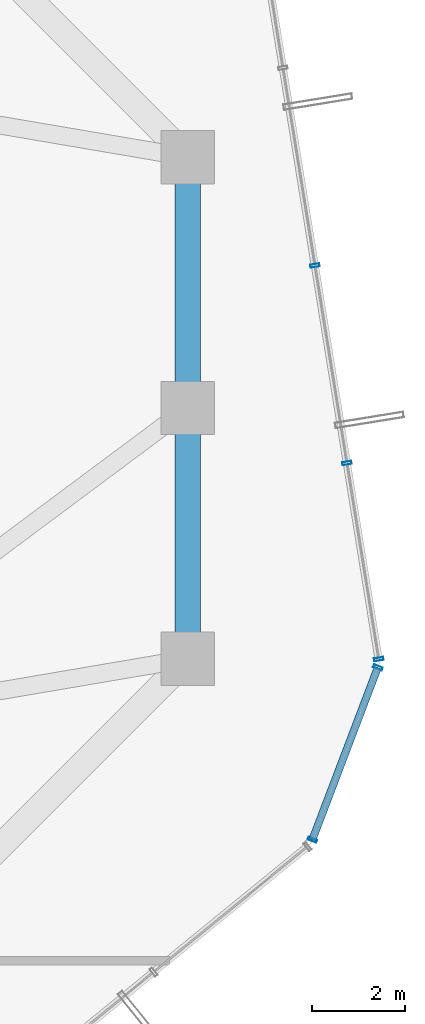
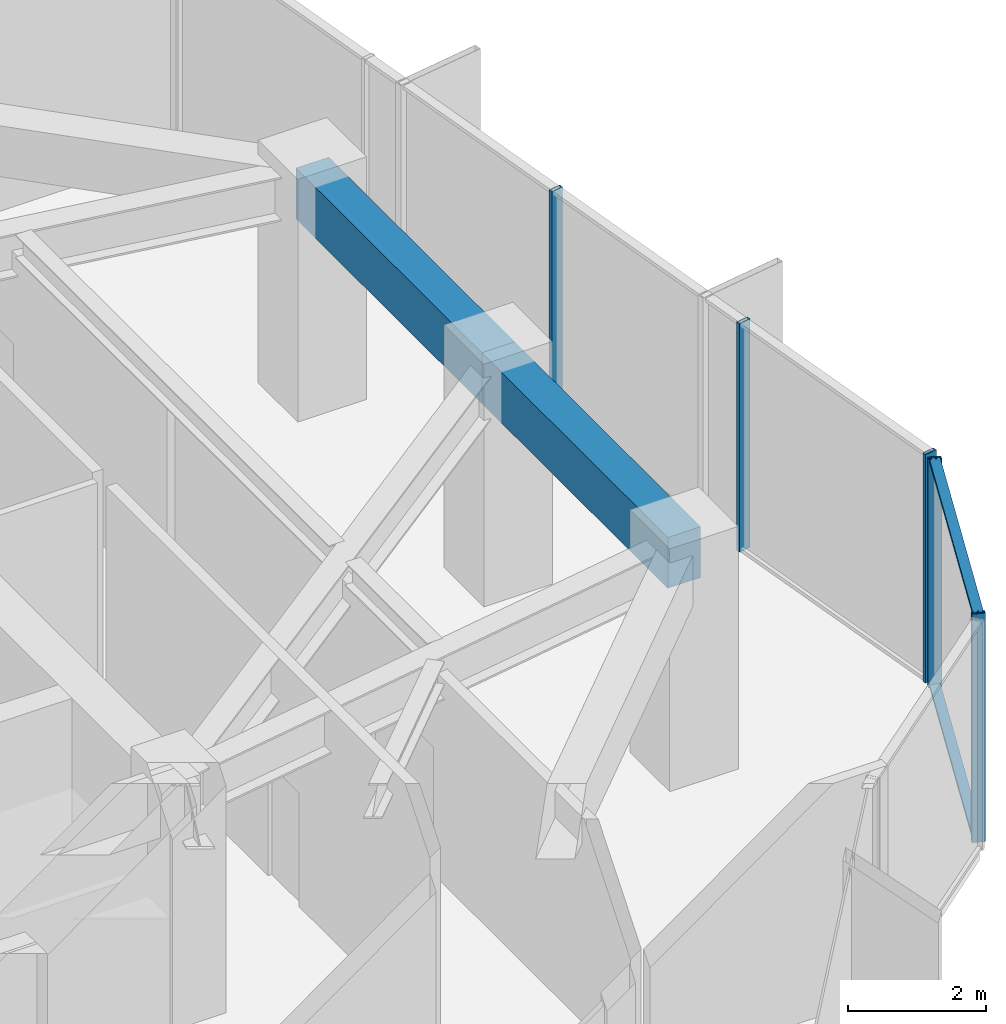
# One storey, part 13 of 26: 7 members, 2 beams, 2 elements without a shape of their own.
"""IFC4 building model written with IfcOpenShell, lengths in metres."""

from ifc_helpers import new_model, si_unit, direction, frame, origin, origin_2d, place, context, subcontext, project, spatial, rectangle, hollow_rectangle, extrude, source, transform, mapped, material, layer, layer_set, material_profile, profile_set, type_object, element, aggregate, save


model = new_model("IFC4")

# Units and contexts
model_context = context("Model", 3, precision=1e-05, world=origin(), true_north=direction((0.0, 1.0)))
body_context = subcontext(model_context, "Body", "Model", "MODEL_VIEW")
ifc_project = project(units=[si_unit("LENGTHUNIT", "METRE"), si_unit("AREAUNIT", "SQUARE_METRE"), si_unit("VOLUMEUNIT", "CUBIC_METRE"), si_unit("PLANEANGLEUNIT", "RADIAN"), si_unit("MASSUNIT", "GRAM", prefix="KILO")], contexts=[model_context])

# Site, building, storey
site_placement = place(None, origin())
site = spatial("IfcSite", under=ifc_project, at=site_placement, CompositionType="ELEMENT")
building_placement = place(site_placement, origin())
building = spatial("IfcBuilding", under=site, at=building_placement, Name="Veraguas Prism Commons", CompositionType="ELEMENT")
storey_placement = place(building_placement, frame((0.0, 0.0, 158.75)))
storey = spatial("IfcBuildingStorey", under=building, at=storey_placement, Name="L45", CompositionType="ELEMENT", Elevation=158.75)

# Beams
ifc_material_1 = material(Name="Concrete C50/60", Category="concrete")
ifc_material_profile_1 = material_profile(ifc_material_1, rectangle(XDim=0.550048828125, YDim=0.89990234375, at=origin_2d()), Name="RC550X900")
ifc_profile_set_1 = profile_set([ifc_material_profile_1], Name="Concrete C50/60")
beam_type = type_object("IfcBeamType", Name="Perimeter Spandrel Lower RC 550x900", PredefinedType="SPANDREL", material=ifc_profile_set_1)
for number, where, z_axis, x_axis, name in (
    (1, (40.199951171875, 18.60009765625, 3.60009765625), (0.0, 1.0, 0.0), (-1.0, 0.0, 0.0), "Perimeter Spandrel Beam L45-SP01"),
    (2, (40.199951171875, 24.0, 3.60009765625), (0.0, 1.0, 0.0), (-1.0, 0.0, 0.0), "Perimeter Spandrel Beam L45-SP02"),
):
    element("IfcBeam", number, at=place(storey_placement, frame(where, z_axis=z_axis, x_axis=x_axis)), inside=storey, type_object=beam_type, Name=name, PredefinedType="SPANDREL", context=body_context, shape_type="SweptSolid", body=[
        extrude(rectangle(XDim=0.550048828125, YDim=0.89990234375, at=origin_2d()), origin(), (0.0, 0.0, 1.0), 5.39990234375),
    ])

# Curtain wall, members
ifc_material_2 = material(Name="Anodised aluminium EN AW-6063 T6", Category="aluminium")
ifc_layer = layer(ifc_material_2, 0.199951171875, Name="Sky Lobby and Pool Acoustic Curtain Wall", Category="aluminium")
ifc_layer_set = layer_set([ifc_layer], Name="Anodised aluminium EN AW-6063 T6")
curtain_wall_type = type_object("IfcCurtainWallType", Name="Sky Lobby and Pool Acoustic Curtain Wall", PredefinedType="NOTDEFINED", material=ifc_layer_set)
curtain_wall_1_placement = place(storey_placement, origin())
curtain_wall_1 = element("IfcCurtainWall", 3, at=curtain_wall_1_placement, inside=storey, type_object=curtain_wall_type, Name="Tower Facade Curtain Wall L45-F6", PredefinedType="NOTDEFINED")
ifc_material_profile_2 = material_profile(ifc_material_2, hollow_rectangle(XDim=0.06494140625, YDim=0.199951171875, WallThickness=0.00390625, at=origin_2d()), Name="AL65X200X4")
ifc_profile_set_2 = profile_set([ifc_material_profile_2], Name="Anodised aluminium EN AW-6063 T6")
member_type_1 = type_object("IfcMemberType", Name="Curtain Wall Mullion Heavy AL 65x200x4", PredefinedType="MULLION", material=ifc_profile_set_2)
shared_shape_1 = source(origin(), body_context, "Body", "SweptSolid", [
    extrude(hollow_rectangle(XDim=0.06494140625, YDim=0.199951171875, WallThickness=0.00390625, at=origin_2d()), origin(), (0.0, 0.0, 1.0), 4.050048828125),
])
member_1_placement = place(storey_placement, frame((44.30810546875, 18.592529296875, 0.0), z_axis=(0.0, 0.0, 1.0), x_axis=(-0.159877741935, 0.987136823158, 0.0)))
member_1 = element("IfcMember", 4, at=member_1_placement, type_object=member_type_1, Name="CW-SKY Mullion 1", PredefinedType="MULLION", context=body_context, shape_type="MappedRepresentation", body=[
    mapped(shared_shape_1, transform((0.0, 0.0, 0.0), scale=1.0)),
])
member_2_placement = place(storey_placement, frame((43.62451171875, 22.813720703125, 0.0), z_axis=(0.0, 0.0, 1.0), x_axis=(-0.159877741935, 0.987136823158, 0.0)))
member_2 = element("IfcMember", 5, at=member_2_placement, type_object=member_type_1, Name="CW-SKY Mullion 2", PredefinedType="MULLION", context=body_context, shape_type="MappedRepresentation", body=[
    mapped(shared_shape_1, transform((0.0, 0.0, 0.0), scale=1.0)),
])
member_3_placement = place(storey_placement, frame((42.935791015625, 27.06689453125, 0.0), z_axis=(0.0, 0.0, 1.0), x_axis=(-0.159877741935, 0.987136823158, 0.0)))
member_3 = element("IfcMember", 6, at=member_3_placement, type_object=member_type_1, Name="CW-SKY Mullion 3", PredefinedType="MULLION", context=body_context, shape_type="MappedRepresentation", body=[
    mapped(shared_shape_1, transform((0.0, 0.0, 0.0), scale=1.0)),
])
aggregate(curtain_wall_1, [member_1, member_2, member_3])

curtain_wall_2_placement = place(storey_placement, origin())
curtain_wall_2 = element("IfcCurtainWall", 7, at=curtain_wall_2_placement, inside=storey, type_object=curtain_wall_type, Name="Chamfer Curtain Wall L45-C6", PredefinedType="NOTDEFINED")
member_4_placement = place(storey_placement, frame((42.881103515625, 14.705322265625, 0.0), z_axis=(0.0, 0.0, 1.0), x_axis=(0.355115120288, 0.934822577468, 0.0)))
member_4 = element("IfcMember", 8, at=member_4_placement, type_object=member_type_1, Name="CW-SKY Mullion 1", PredefinedType="MULLION", context=body_context, shape_type="MappedRepresentation", body=[
    mapped(shared_shape_1, transform((0.0, 0.0, 0.0), scale=1.0)),
])
member_5_placement = place(storey_placement, frame((44.2900390625, 18.414794921875, 0.0), z_axis=(0.0, 0.0, 1.0), x_axis=(0.355115120288, 0.934822577468, 0.0)))
member_5 = element("IfcMember", 9, at=member_5_placement, type_object=member_type_1, Name="CW-SKY Mullion 2", PredefinedType="MULLION", context=body_context, shape_type="MappedRepresentation", body=[
    mapped(shared_shape_1, transform((0.0, 0.0, 0.0), scale=1.0)),
])
ifc_material_profile_3 = material_profile(ifc_material_2, hollow_rectangle(XDim=0.06005859375, YDim=0.159912109375, WallThickness=0.0029296875, at=origin_2d()), Name="AL60X160X3")
ifc_profile_set_3 = profile_set([ifc_material_profile_3], Name="Anodised aluminium EN AW-6063 T6")
member_type_2 = type_object("IfcMemberType", Name="Curtain Wall Transom Heavy AL 60x160x3", PredefinedType="USERDEFINED", material=ifc_profile_set_3)
shared_shape_2 = source(origin(), body_context, "Body", "SweptSolid", [
    extrude(hollow_rectangle(XDim=0.06005859375, YDim=0.159912109375, WallThickness=0.0029296875, at=origin_2d()), origin(), (0.0, 0.0, 1.0), 3.968017578125),
])
member_6_placement = place(storey_placement, frame((42.881103515625, 14.705322265625, 0.030029296875), z_axis=(0.355071519765, 0.934839139024, 0.0), x_axis=(0.0, 0.0, 1.0)))
member_6 = element("IfcMember", 10, at=member_6_placement, type_object=member_type_2, Name="CW-SKY Transom 1", ObjectType="TRANSOM", PredefinedType="USERDEFINED", context=body_context, shape_type="MappedRepresentation", body=[
    mapped(shared_shape_2, transform((0.0, 0.0, 0.0), scale=1.0)),
])
member_7_placement = place(storey_placement, frame((42.881103515625, 14.705322265625, 4.02001953125), z_axis=(0.355071519765, 0.934839139024, 0.0), x_axis=(0.0, 0.0, 1.0)))
member_7 = element("IfcMember", 11, at=member_7_placement, type_object=member_type_2, Name="CW-SKY Transom 2", ObjectType="TRANSOM", PredefinedType="USERDEFINED", context=body_context, shape_type="MappedRepresentation", body=[
    mapped(shared_shape_2, transform((0.0, 0.0, 0.0), scale=1.0)),
])
aggregate(curtain_wall_2, [member_4, member_5, member_6, member_7])

save(model, "model.ifc")
